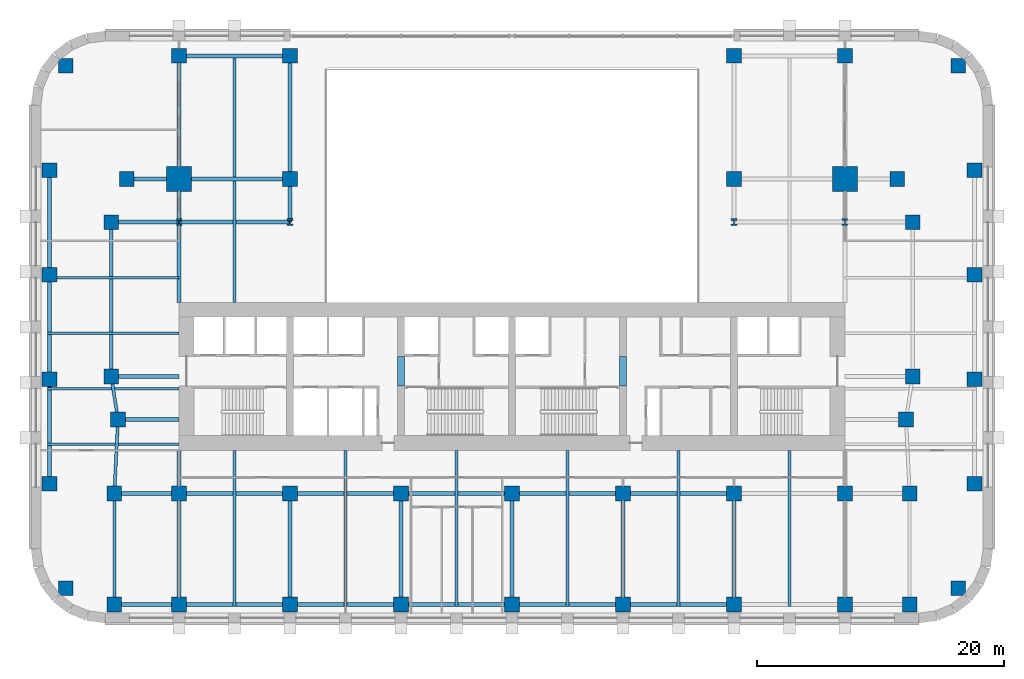
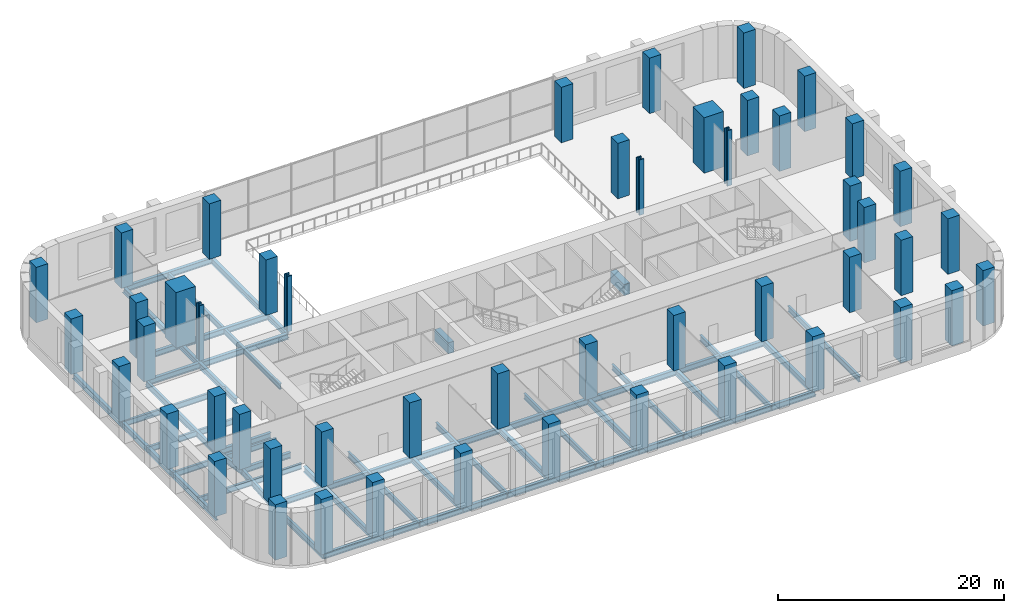
# One storey, part 1 of 13: 50 columns, 39 beams.
"""IFC4 building model written with IfcOpenShell, lengths in metres."""

from ifc_helpers import new_model, si_unit, direction, frame, origin, origin_2d, place, context, subcontext, project, spatial, rectangle, i_section, extrude, material, material_profile, profile_set, type_object, element, save


model = new_model("IFC4")

# Units and contexts
model_context = context("Model", 3, precision=1e-05, world=origin(), true_north=direction((0.0, 1.0)))
body_context = subcontext(model_context, "Body", "Model", "MODEL_VIEW")
ifc_project = project(units=[si_unit("LENGTHUNIT", "METRE"), si_unit("AREAUNIT", "SQUARE_METRE"), si_unit("VOLUMEUNIT", "CUBIC_METRE"), si_unit("PLANEANGLEUNIT", "RADIAN"), si_unit("MASSUNIT", "GRAM", prefix="KILO")], contexts=[model_context])

# Site, building, storey
site_placement = place(None, origin())
site = spatial("IfcSite", under=ifc_project, at=site_placement, CompositionType="ELEMENT")
building_placement = place(site_placement, origin())
building = spatial("IfcBuilding", under=site, at=building_placement, Name="Zellij Exchange Tower", CompositionType="ELEMENT")
storey_placement = place(building_placement, frame((0.0, 0.0, 15.0)))
storey = spatial("IfcBuildingStorey", under=building, at=storey_placement, Name="L02", CompositionType="ELEMENT", Elevation=15.0)

# Columns
ifc_material_1 = material(Name="Concrete C70/85", Category="concrete")
ifc_material_profile_1 = material_profile(ifc_material_1, rectangle(XDim=1.199951171875, YDim=1.199951171875, at=origin_2d()), Name="STR-COLUMN RC1200x1200 C70/85")
ifc_profile_set_1 = profile_set([ifc_material_profile_1], Name="Concrete C70/85")
column_type_1 = type_object("IfcColumnType", Name="STR-COLUMN RC1200x1200 C70/85", PredefinedType="COLUMN", material=ifc_profile_set_1)
for number, where, z_axis, x_axis, name in (
    (1, (-32.25, -26.5, 0.0), (0.0, 0.0, 1.0), (1.0, 0.0, 0.0), "C12"),
    (2, (-27.0, -26.5, 0.0), (0.0, 0.0, 1.0), (1.0, 0.0, 0.0), "C12"),
    (3, (-18.0, -26.5, 0.0), (0.0, 0.0, 1.0), (1.0, 0.0, 0.0), "C12"),
    (4, (-9.0, -26.5, 0.0), (0.0, 0.0, 1.0), (1.0, 0.0, 0.0), "C12"),
    (5, (0.0, -26.5, 0.0), (0.0, 0.0, 1.0), (1.0, 0.0, 0.0), "C12"),
    (6, (9.0, -26.5, 0.0), (0.0, 0.0, 1.0), (1.0, 0.0, 0.0), "C12"),
    (7, (18.0, -26.5, 0.0), (0.0, 0.0, 1.0), (1.0, 0.0, 0.0), "C12"),
    (8, (27.0, -26.5, 0.0), (0.0, 0.0, 1.0), (1.0, 0.0, 0.0), "C12"),
    (9, (32.25, -26.5, 0.0), (0.0, 0.0, 1.0), (1.0, 0.0, 0.0), "C12"),
    (10, (-36.181884765625, -25.181884765625, 0.0), (0.0, 0.0, 1.0), (1.0, 0.0, 0.0), "C12"),
    (11, (36.181884765625, -25.181884765625, 0.0), (0.0, 0.0, 1.0), (1.0, 0.0, 0.0), "C12"),
    (12, (-32.25, -17.5, 0.0), (0.0, 0.0, 1.0), (1.0, 0.0, 0.0), "C12"),
    (13, (-27.0, -17.5, 0.0), (0.0, 0.0, 1.0), (1.0, 0.0, 0.0), "C12"),
    (14, (-18.0, -17.5, 0.0), (0.0, 0.0, 1.0), (1.0, 0.0, 0.0), "C12"),
    (15, (-9.0, -17.5, 0.0), (0.0, 0.0, 1.0), (1.0, 0.0, 0.0), "C12"),
    (16, (0.0, -17.5, 0.0), (0.0, 0.0, 1.0), (1.0, 0.0, 0.0), "C12"),
    (17, (9.0, -17.5, 0.0), (0.0, 0.0, 1.0), (1.0, 0.0, 0.0), "C12"),
    (18, (18.0, -17.5, 0.0), (0.0, 0.0, 1.0), (1.0, 0.0, 0.0), "C12"),
    (19, (27.0, -17.5, 0.0), (0.0, 0.0, 1.0), (1.0, 0.0, 0.0), "C12"),
    (20, (32.25, -17.5, 0.0), (0.0, 0.0, 1.0), (1.0, 0.0, 0.0), "C12"),
    (21, (-37.5, -16.709228515625, 0.0), (0.0, 0.0, 1.0), (1.0, 0.0, 0.0), "C12"),
    (22, (37.5, -16.709228515625, 0.0), (0.0, 0.0, 1.0), (1.0, 0.0, 0.0), "C12"),
    (23, (-31.949951171875, -11.5, 0.0), (0.0, 0.0, 1.0), (1.0, 0.0, 0.0), "C12"),
    (24, (31.949951171875, -11.5, 0.0), (0.0, 0.0, 1.0), (1.0, 0.0, 0.0), "C12"),
    (25, (-37.5, -8.236328125, 0.0), (0.0, 0.0, 1.0), (1.0, 0.0, 0.0), "C12"),
    (26, (37.5, -8.236328125, 0.0), (0.0, 0.0, 1.0), (1.0, 0.0, 0.0), "C12"),
    (27, (-32.5, -8.0, 0.0), (0.0, 0.0, 1.0), (1.0, 0.0, 0.0), "C12"),
    (28, (32.5, -8.0, 0.0), (0.0, 0.0, 1.0), (1.0, 0.0, 0.0), "C12"),
    (29, (-37.5, 0.236328125, 0.0), (0.0, 0.0, 1.0), (1.0, 0.0, 0.0), "C12"),
    (30, (37.5, 0.236328125, 0.0), (0.0, 0.0, 1.0), (1.0, 0.0, 0.0), "C12"),
    (31, (-32.5, 4.5, 0.0), (0.0, 0.0, 1.0), (1.0, 0.0, 0.0), "C12"),
    (32, (32.5, 4.5, 0.0), (0.0, 0.0, 1.0), (1.0, 0.0, 0.0), "C12"),
    (33, (-31.25, 8.0, 0.0), (0.0, 0.0, 1.0), (1.0, 0.0, 0.0), "C12"),
    (34, (-18.0, 8.0, 0.0), (0.0, 0.0, 1.0), (1.0, 0.0, 0.0), "C12"),
    (35, (18.0, 8.0, 0.0), (0.0, 0.0, 1.0), (1.0, 0.0, 0.0), "C12"),
    (36, (31.25, 8.0, 0.0), (0.0, 0.0, 1.0), (1.0, 0.0, 0.0), "C12"),
    (37, (-37.5, 8.709228515625, 0.0), (0.0, 0.0, 1.0), (1.0, 0.0, 0.0), "C12"),
    (38, (37.5, 8.709228515625, 0.0), (0.0, 0.0, 1.0), (1.0, 0.0, 0.0), "C12"),
    (39, (-36.181884765625, 17.181884765625, 0.0), (0.0, 0.0, 1.0), (1.0, 0.0, 0.0), "C12"),
    (40, (36.181884765625, 17.181884765625, 0.0), (0.0, 0.0, 1.0), (1.0, 0.0, 0.0), "C12"),
    (41, (-27.0, 18.0, 0.0), (0.0, 0.0, 1.0), (1.0, 0.0, 0.0), "C12"),
    (42, (-18.0, 18.0, 0.0), (0.0, 0.0, 1.0), (1.0, 0.0, 0.0), "C12"),
    (43, (18.0, 18.0, 0.0), (0.0, 0.0, 1.0), (1.0, 0.0, 0.0), "C12"),
    (44, (27.0, 18.0, 0.0), (0.0, 0.0, 1.0), (1.0, 0.0, 0.0), "C12"),
):
    element("IfcColumn", number, at=place(storey_placement, frame(where, z_axis=z_axis, x_axis=x_axis)), inside=storey, type_object=column_type_1, Name=name, PredefinedType="COLUMN", context=body_context, shape_type="SweptSolid", body=[
        extrude(rectangle(XDim=1.199951171875, YDim=1.199951171875, at=origin_2d()), origin(), (0.0, 0.0, 1.0), 6.0),
    ])
ifc_material_2 = material(Name="Structural steel ASTM A913 Gr 65", Category="steel")
ifc_material_profile_2 = material_profile(ifc_material_2, i_section(OverallWidth=0.45458984375, OverallDepth=0.56884765625, WebThickness=0.077880859375, FlangeThickness=0.124755859375, at=origin_2d()), Name="W14x730")
ifc_profile_set_2 = profile_set([ifc_material_profile_2], Name="Structural steel ASTM A913 Gr 65")
column_type_2 = type_object("IfcColumnType", Name="STR-COLUMN W14x730", PredefinedType="COLUMN", material=ifc_profile_set_2)
for number, where, z_axis, x_axis, name in (
    (45, (-27.0, 4.5, 0.0), (0.0, 0.0, 1.0), (1.0, 0.0, 0.0), "C7"),
    (46, (-18.0, 4.5, 0.0), (0.0, 0.0, 1.0), (1.0, 0.0, 0.0), "C7"),
    (47, (18.0, 4.5, 0.0), (0.0, 0.0, 1.0), (1.0, 0.0, 0.0), "C7"),
    (48, (27.0, 4.5, 0.0), (0.0, 0.0, 1.0), (1.0, 0.0, 0.0), "C7"),
):
    element("IfcColumn", number, at=place(storey_placement, frame(where, z_axis=z_axis, x_axis=x_axis)), inside=storey, type_object=column_type_2, Name=name, PredefinedType="COLUMN", context=body_context, shape_type="SweptSolid", body=[
        extrude(i_section(OverallWidth=0.45458984375, OverallDepth=0.56884765625, WebThickness=0.077880859375, FlangeThickness=0.124755859375, at=origin_2d()), origin(), (0.0, 0.0, 1.0), 6.0),
    ])
ifc_material_profile_3 = material_profile(ifc_material_1, rectangle(XDim=2.0, YDim=2.0, at=origin_2d()), Name="STR-MEGA COLUMN RC2000x2000 C70/85")
ifc_profile_set_3 = profile_set([ifc_material_profile_3], Name="Concrete C70/85")
column_type_3 = type_object("IfcColumnType", Name="STR-MEGA COLUMN RC2000x2000 C70/85", PredefinedType="COLUMN", material=ifc_profile_set_3)
for number, where, z_axis, x_axis, name in (
    (49, (-27.0, 8.0, 0.0), (0.0, 0.0, 1.0), (1.0, 0.0, 0.0), "MC8"),
    (50, (27.0, 8.0, 0.0), (0.0, 0.0, 1.0), (1.0, 0.0, 0.0), "MC8"),
):
    element("IfcColumn", number, at=place(storey_placement, frame(where, z_axis=z_axis, x_axis=x_axis)), inside=storey, type_object=column_type_3, Name=name, PredefinedType="COLUMN", context=body_context, shape_type="SweptSolid", body=[
        extrude(rectangle(XDim=2.0, YDim=2.0, at=origin_2d()), origin(), (0.0, 0.0, 1.0), 6.0),
    ])

# Beams
ifc_material_profile_4 = material_profile(ifc_material_1, rectangle(XDim=0.60009765625, YDim=1.199951171875, at=origin_2d()), Name="CORE-CB 600x1200 C70/85")
ifc_profile_set_4 = profile_set([ifc_material_profile_4], Name="Concrete C70/85")
beam_type_1 = type_object("IfcBeamType", Name="CORE-CB 600x1200 C70/85", PredefinedType="BEAM", material=ifc_profile_set_4)
for number, where, z_axis, x_axis, name in (
    (51, (-9.0, -8.800048828125, 3.0), (0.0, 1.0, 0.0), (-1.0, 0.0, 0.0), "Core coupling beam x -9 L02"),
    (52, (9.0, -8.800048828125, 3.0), (0.0, 1.0, 0.0), (-1.0, 0.0, 0.0), "Core coupling beam x 9 L02"),
):
    element("IfcBeam", number, at=place(storey_placement, frame(where, z_axis=z_axis, x_axis=x_axis)), inside=storey, type_object=beam_type_1, Name=name, PredefinedType="BEAM", context=body_context, shape_type="SweptSolid", body=[
        extrude(rectangle(XDim=0.60009765625, YDim=1.199951171875, at=origin_2d()), origin(), (0.0, 0.0, 1.0), 2.425048828125),
    ])
ifc_material_3 = material(Name="Structural steel ASTM A992 Gr 50", Category="steel")
ifc_material_profile_5 = material_profile(ifc_material_3, i_section(OverallWidth=0.22900390625, OverallDepth=0.612060546875, WebThickness=0.011962890625, FlangeThickness=0.01953125, at=origin_2d()), Name="W24x84")
ifc_profile_set_5 = profile_set([ifc_material_profile_5], Name="Structural steel ASTM A992 Gr 50")
beam_type_2 = type_object("IfcBeamType", Name="STR-BEAM W24x84", PredefinedType="BEAM", material=ifc_profile_set_5)
beam_1_placement = place(storey_placement, frame((-22.5, -26.66259765625, -0.606201171875), z_axis=(0.0, 1.0, 0.0), x_axis=(-1.0, 0.0, 0.0)))
element("IfcBeam", 53, at=beam_1_placement, inside=storey, type_object=beam_type_2, Name="B6", PredefinedType="BEAM", context=body_context, shape_type="SweptSolid", body=[
    extrude(i_section(OverallWidth=0.22900390625, OverallDepth=0.612060546875, WebThickness=0.011962890625, FlangeThickness=0.01953125, at=origin_2d()), origin(), (0.0, 0.0, 1.0), 12.66259765625),
])
beam_2_placement = place(storey_placement, frame((-22.5, -2.0, -0.606201171875), z_axis=(0.0, 1.0, 0.0), x_axis=(-1.0, 0.0, 0.0)))
element("IfcBeam", 54, at=beam_2_placement, inside=storey, type_object=beam_type_2, Name="B6", PredefinedType="BEAM", context=body_context, shape_type="SweptSolid", body=[
    extrude(i_section(OverallWidth=0.22900390625, OverallDepth=0.612060546875, WebThickness=0.011962890625, FlangeThickness=0.01953125, at=origin_2d()), origin(), (0.0, 0.0, 1.0), 20.16259765625),
])
for number, where, z_axis, x_axis, name in (
    (55, (-13.5, -26.66259765625, -0.606201171875), (0.0, 1.0, 0.0), (-1.0, 0.0, 0.0), "B6"),
    (56, (-4.5, -26.66259765625, -0.606201171875), (0.0, 1.0, 0.0), (-1.0, 0.0, 0.0), "B6"),
    (57, (4.5, -26.66259765625, -0.606201171875), (0.0, 1.0, 0.0), (-1.0, 0.0, 0.0), "B6"),
    (58, (13.5, -26.66259765625, -0.606201171875), (0.0, 1.0, 0.0), (-1.0, 0.0, 0.0), "B6"),
    (59, (22.5, -26.66259765625, -0.606201171875), (0.0, 1.0, 0.0), (-1.0, 0.0, 0.0), "B6"),
):
    element("IfcBeam", number, at=place(storey_placement, frame(where, z_axis=z_axis, x_axis=x_axis)), inside=storey, type_object=beam_type_2, Name=name, PredefinedType="BEAM", context=body_context, shape_type="SweptSolid", body=[
        extrude(i_section(OverallWidth=0.22900390625, OverallDepth=0.612060546875, WebThickness=0.011962890625, FlangeThickness=0.01953125, at=origin_2d()), origin(), (0.0, 0.0, 1.0), 12.66259765625),
    ])
for number, where, z_axis, x_axis, name in (
    (60, (-37.66259765625, -13.5, -0.606201171875), (1.0, 0.0, 0.0), (0.0, 1.0, 0.0), "B6"),
    (61, (-37.66259765625, -9.0, -0.606201171875), (1.0, 0.0, 0.0), (0.0, 1.0, 0.0), "B6"),
    (62, (-37.66259765625, -4.5, -0.606201171875), (1.0, 0.0, 0.0), (0.0, 1.0, 0.0), "B6"),
    (63, (-37.66259765625, 0.0, -0.606201171875), (1.0, 0.0, 0.0), (0.0, 1.0, 0.0), "B6"),
):
    element("IfcBeam", number, at=place(storey_placement, frame(where, z_axis=z_axis, x_axis=x_axis)), inside=storey, type_object=beam_type_2, Name=name, PredefinedType="BEAM", context=body_context, shape_type="SweptSolid", body=[
        extrude(i_section(OverallWidth=0.22900390625, OverallDepth=0.612060546875, WebThickness=0.011962890625, FlangeThickness=0.01953125, at=origin_2d()), origin(), (0.0, 0.0, 1.0), 10.66259765625),
    ])
ifc_material_profile_6 = material_profile(ifc_material_3, i_section(OverallWidth=0.25390625, OverallDepth=0.67822265625, WebThickness=0.01171875, FlangeThickness=0.016357421875, at=origin_2d()), Name="W27x84")
ifc_profile_set_6 = profile_set([ifc_material_profile_6], Name="Structural steel ASTM A992 Gr 50")
beam_type_3 = type_object("IfcBeamType", Name="STR-EDGE GIRDER W27x84", PredefinedType="BEAM", material=ifc_profile_set_6)
beam_3_placement = place(storey_placement, frame((-32.25, -26.5, -0.63916015625), z_axis=(0.0, 1.0, 0.0), x_axis=(-1.0, 0.0, 0.0)))
element("IfcBeam", 64, at=beam_3_placement, inside=storey, type_object=beam_type_3, Name="EB7", PredefinedType="BEAM", context=body_context, shape_type="SweptSolid", body=[
    extrude(i_section(OverallWidth=0.25390625, OverallDepth=0.67822265625, WebThickness=0.01171875, FlangeThickness=0.016357421875, at=origin_2d()), origin(), (0.0, 0.0, 1.0), 9.0),
])
beam_4_placement = place(storey_placement, frame((-32.25, -17.5, -0.63916015625), z_axis=(0.049945724537, 0.998751933465, 0.0), x_axis=(-0.998751933465, 0.049945724537, 0.0)))
element("IfcBeam", 65, at=beam_4_placement, inside=storey, type_object=beam_type_3, Name="EB7", PredefinedType="BEAM", context=body_context, shape_type="SweptSolid", body=[
    extrude(i_section(OverallWidth=0.25390625, OverallDepth=0.67822265625, WebThickness=0.01171875, FlangeThickness=0.016357421875, at=origin_2d()), origin(), (0.0, 0.0, 1.0), 6.007568359375),
])
beam_5_placement = place(storey_placement, frame((-31.949951171875, -11.5, -0.63916015625), z_axis=(-0.155251283593, 0.987875011802, 0.0), x_axis=(-0.987875011802, -0.155251283593, 0.0)))
element("IfcBeam", 66, at=beam_5_placement, inside=storey, type_object=beam_type_3, Name="EB7", PredefinedType="BEAM", context=body_context, shape_type="SweptSolid", body=[
    extrude(i_section(OverallWidth=0.25390625, OverallDepth=0.67822265625, WebThickness=0.01171875, FlangeThickness=0.016357421875, at=origin_2d()), origin(), (0.0, 0.0, 1.0), 3.54296875),
])
beam_6_placement = place(storey_placement, frame((-32.5, -8.0, -0.63916015625), z_axis=(0.0, 1.0, 0.0), x_axis=(-1.0, 0.0, 0.0)))
element("IfcBeam", 67, at=beam_6_placement, inside=storey, type_object=beam_type_3, Name="EB7", PredefinedType="BEAM", context=body_context, shape_type="SweptSolid", body=[
    extrude(i_section(OverallWidth=0.25390625, OverallDepth=0.67822265625, WebThickness=0.01171875, FlangeThickness=0.016357421875, at=origin_2d()), origin(), (0.0, 0.0, 1.0), 12.5),
])
ifc_material_profile_7 = material_profile(ifc_material_3, i_section(OverallWidth=0.3251953125, OverallDepth=0.612060546875, WebThickness=0.0126953125, FlangeThickness=0.01904296875, at=origin_2d()), Name="W24x104")
ifc_profile_set_7 = profile_set([ifc_material_profile_7], Name="Structural steel ASTM A992 Gr 50")
beam_type_4 = type_object("IfcBeamType", Name="STR-GIRDER W24x104", PredefinedType="BEAM", material=ifc_profile_set_7)
beam_7_placement = place(storey_placement, frame((-32.25, -26.5, -0.606201171875), z_axis=(1.0, 0.0, 0.0), x_axis=(0.0, 1.0, 0.0)))
element("IfcBeam", 68, at=beam_7_placement, inside=storey, type_object=beam_type_4, Name="G3", PredefinedType="BEAM", context=body_context, shape_type="SweptSolid", body=[
    extrude(i_section(OverallWidth=0.3251953125, OverallDepth=0.612060546875, WebThickness=0.0126953125, FlangeThickness=0.01904296875, at=origin_2d()), origin(), (0.0, 0.0, 1.0), 14.25),
])
for number, where, z_axis, x_axis, name in (
    (69, (-18.0, -26.5, -0.606201171875), (1.0, 0.0, 0.0), (0.0, 1.0, 0.0), "G3"),
    (70, (0.0, -26.5, -0.606201171875), (1.0, 0.0, 0.0), (0.0, 1.0, 0.0), "G3"),
):
    element("IfcBeam", number, at=place(storey_placement, frame(where, z_axis=z_axis, x_axis=x_axis)), inside=storey, type_object=beam_type_4, Name=name, PredefinedType="BEAM", context=body_context, shape_type="SweptSolid", body=[
        extrude(i_section(OverallWidth=0.3251953125, OverallDepth=0.612060546875, WebThickness=0.0126953125, FlangeThickness=0.01904296875, at=origin_2d()), origin(), (0.0, 0.0, 1.0), 18.0),
    ])
beam_8_placement = place(storey_placement, frame((-32.25, -17.5, -0.606201171875), z_axis=(1.0, 0.0, 0.0), x_axis=(0.0, 1.0, 0.0)))
element("IfcBeam", 71, at=beam_8_placement, inside=storey, type_object=beam_type_4, Name="G3", PredefinedType="BEAM", context=body_context, shape_type="SweptSolid", body=[
    extrude(i_section(OverallWidth=0.3251953125, OverallDepth=0.612060546875, WebThickness=0.0126953125, FlangeThickness=0.01904296875, at=origin_2d()), origin(), (0.0, 0.0, 1.0), 14.25),
])
for number, where, z_axis, x_axis, name in (
    (72, (-18.0, -17.5, -0.606201171875), (1.0, 0.0, 0.0), (0.0, 1.0, 0.0), "G3"),
    (73, (0.0, -17.5, -0.606201171875), (1.0, 0.0, 0.0), (0.0, 1.0, 0.0), "G3"),
):
    element("IfcBeam", number, at=place(storey_placement, frame(where, z_axis=z_axis, x_axis=x_axis)), inside=storey, type_object=beam_type_4, Name=name, PredefinedType="BEAM", context=body_context, shape_type="SweptSolid", body=[
        extrude(i_section(OverallWidth=0.3251953125, OverallDepth=0.612060546875, WebThickness=0.0126953125, FlangeThickness=0.01904296875, at=origin_2d()), origin(), (0.0, 0.0, 1.0), 18.0),
    ])
beam_9_placement = place(storey_placement, frame((-31.949951171875, -11.5, -0.606201171875), z_axis=(1.0, 0.0, 0.0), x_axis=(0.0, 1.0, 0.0)))
element("IfcBeam", 74, at=beam_9_placement, inside=storey, type_object=beam_type_4, Name="G3", PredefinedType="BEAM", context=body_context, shape_type="SweptSolid", body=[
    extrude(i_section(OverallWidth=0.3251953125, OverallDepth=0.612060546875, WebThickness=0.0126953125, FlangeThickness=0.01904296875, at=origin_2d()), origin(), (0.0, 0.0, 1.0), 4.949951171875),
])
beam_10_placement = place(storey_placement, frame((-32.5, -8.0, -0.606201171875), z_axis=(1.0, 0.0, 0.0), x_axis=(0.0, 1.0, 0.0)))
element("IfcBeam", 75, at=beam_10_placement, inside=storey, type_object=beam_type_4, Name="G3", PredefinedType="BEAM", context=body_context, shape_type="SweptSolid", body=[
    extrude(i_section(OverallWidth=0.3251953125, OverallDepth=0.612060546875, WebThickness=0.0126953125, FlangeThickness=0.01904296875, at=origin_2d()), origin(), (0.0, 0.0, 1.0), 5.5),
])
beam_11_placement = place(storey_placement, frame((-32.5, 4.5, -0.606201171875), z_axis=(1.0, 0.0, 0.0), x_axis=(0.0, 1.0, 0.0)))
element("IfcBeam", 76, at=beam_11_placement, inside=storey, type_object=beam_type_4, Name="G3", PredefinedType="BEAM", context=body_context, shape_type="SweptSolid", body=[
    extrude(i_section(OverallWidth=0.3251953125, OverallDepth=0.612060546875, WebThickness=0.0126953125, FlangeThickness=0.01904296875, at=origin_2d()), origin(), (0.0, 0.0, 1.0), 14.5),
])
beam_12_placement = place(storey_placement, frame((-31.25, 8.0, -0.606201171875), z_axis=(1.0, 0.0, 0.0), x_axis=(0.0, 1.0, 0.0)))
element("IfcBeam", 77, at=beam_12_placement, inside=storey, type_object=beam_type_4, Name="G3", PredefinedType="BEAM", context=body_context, shape_type="SweptSolid", body=[
    extrude(i_section(OverallWidth=0.3251953125, OverallDepth=0.612060546875, WebThickness=0.0126953125, FlangeThickness=0.01904296875, at=origin_2d()), origin(), (0.0, 0.0, 1.0), 13.25),
])
beam_13_placement = place(storey_placement, frame((-27.0, 18.0, -0.606201171875), z_axis=(1.0, 0.0, 0.0), x_axis=(0.0, 1.0, 0.0)))
element("IfcBeam", 78, at=beam_13_placement, inside=storey, type_object=beam_type_4, Name="G3", PredefinedType="BEAM", context=body_context, shape_type="SweptSolid", body=[
    extrude(i_section(OverallWidth=0.3251953125, OverallDepth=0.612060546875, WebThickness=0.0126953125, FlangeThickness=0.01904296875, at=origin_2d()), origin(), (0.0, 0.0, 1.0), 9.0),
])
beam_14_placement = place(storey_placement, frame((-37.5, -16.708984375, -0.606201171875), z_axis=(0.0, 1.0, 0.0), x_axis=(-1.0, 0.0, 0.0)))
element("IfcBeam", 79, at=beam_14_placement, inside=storey, type_object=beam_type_4, Name="G3", PredefinedType="BEAM", context=body_context, shape_type="SweptSolid", body=[
    extrude(i_section(OverallWidth=0.3251953125, OverallDepth=0.612060546875, WebThickness=0.0126953125, FlangeThickness=0.01904296875, at=origin_2d()), origin(), (0.0, 0.0, 1.0), 16.945068359375),
])
beam_15_placement = place(storey_placement, frame((-37.5, 0.236083984375, -0.606201171875), z_axis=(0.0, 1.0, 0.0), x_axis=(-1.0, 0.0, 0.0)))
element("IfcBeam", 80, at=beam_15_placement, inside=storey, type_object=beam_type_4, Name="G3", PredefinedType="BEAM", context=body_context, shape_type="SweptSolid", body=[
    extrude(i_section(OverallWidth=0.3251953125, OverallDepth=0.612060546875, WebThickness=0.0126953125, FlangeThickness=0.01904296875, at=origin_2d()), origin(), (0.0, 0.0, 1.0), 8.472900390625),
])
beam_16_placement = place(storey_placement, frame((-27.0, -26.5, -0.606201171875), z_axis=(0.0, 1.0, 0.0), x_axis=(-1.0, 0.0, 0.0)))
element("IfcBeam", 81, at=beam_16_placement, inside=storey, type_object=beam_type_4, Name="G3", PredefinedType="BEAM", context=body_context, shape_type="SweptSolid", body=[
    extrude(i_section(OverallWidth=0.3251953125, OverallDepth=0.612060546875, WebThickness=0.0126953125, FlangeThickness=0.01904296875, at=origin_2d()), origin(), (0.0, 0.0, 1.0), 12.5),
])
for number, where, z_axis, x_axis, name in (
    (82, (-27.0, -2.0, -0.606201171875), (0.0, 1.0, 0.0), (-1.0, 0.0, 0.0), "G3"),
    (83, (-27.0, 8.0, -0.606201171875), (0.0, 1.0, 0.0), (-1.0, 0.0, 0.0), "G3"),
):
    element("IfcBeam", number, at=place(storey_placement, frame(where, z_axis=z_axis, x_axis=x_axis)), inside=storey, type_object=beam_type_4, Name=name, PredefinedType="BEAM", context=body_context, shape_type="SweptSolid", body=[
        extrude(i_section(OverallWidth=0.3251953125, OverallDepth=0.612060546875, WebThickness=0.0126953125, FlangeThickness=0.01904296875, at=origin_2d()), origin(), (0.0, 0.0, 1.0), 10.0),
    ])
beam_17_placement = place(storey_placement, frame((-18.0, -26.5, -0.606201171875), z_axis=(0.0, 1.0, 0.0), x_axis=(-1.0, 0.0, 0.0)))
element("IfcBeam", 84, at=beam_17_placement, inside=storey, type_object=beam_type_4, Name="G3", PredefinedType="BEAM", context=body_context, shape_type="SweptSolid", body=[
    extrude(i_section(OverallWidth=0.3251953125, OverallDepth=0.612060546875, WebThickness=0.0126953125, FlangeThickness=0.01904296875, at=origin_2d()), origin(), (0.0, 0.0, 1.0), 9.0),
])
beam_18_placement = place(storey_placement, frame((-18.0, 4.5, -0.606201171875), z_axis=(0.0, 1.0, 0.0), x_axis=(-1.0, 0.0, 0.0)))
element("IfcBeam", 85, at=beam_18_placement, inside=storey, type_object=beam_type_4, Name="G3", PredefinedType="BEAM", context=body_context, shape_type="SweptSolid", body=[
    extrude(i_section(OverallWidth=0.3251953125, OverallDepth=0.612060546875, WebThickness=0.0126953125, FlangeThickness=0.01904296875, at=origin_2d()), origin(), (0.0, 0.0, 1.0), 13.5),
])
for number, where, z_axis, x_axis, name in (
    (86, (-9.0, -26.5, -0.606201171875), (0.0, 1.0, 0.0), (-1.0, 0.0, 0.0), "G3"),
    (87, (0.0, -26.5, -0.606201171875), (0.0, 1.0, 0.0), (-1.0, 0.0, 0.0), "G3"),
    (88, (9.0, -26.5, -0.606201171875), (0.0, 1.0, 0.0), (-1.0, 0.0, 0.0), "G3"),
    (89, (18.0, -26.5, -0.606201171875), (0.0, 1.0, 0.0), (-1.0, 0.0, 0.0), "G3"),
):
    element("IfcBeam", number, at=place(storey_placement, frame(where, z_axis=z_axis, x_axis=x_axis)), inside=storey, type_object=beam_type_4, Name=name, PredefinedType="BEAM", context=body_context, shape_type="SweptSolid", body=[
        extrude(i_section(OverallWidth=0.3251953125, OverallDepth=0.612060546875, WebThickness=0.0126953125, FlangeThickness=0.01904296875, at=origin_2d()), origin(), (0.0, 0.0, 1.0), 9.0),
    ])

save(model, "model.ifc")
